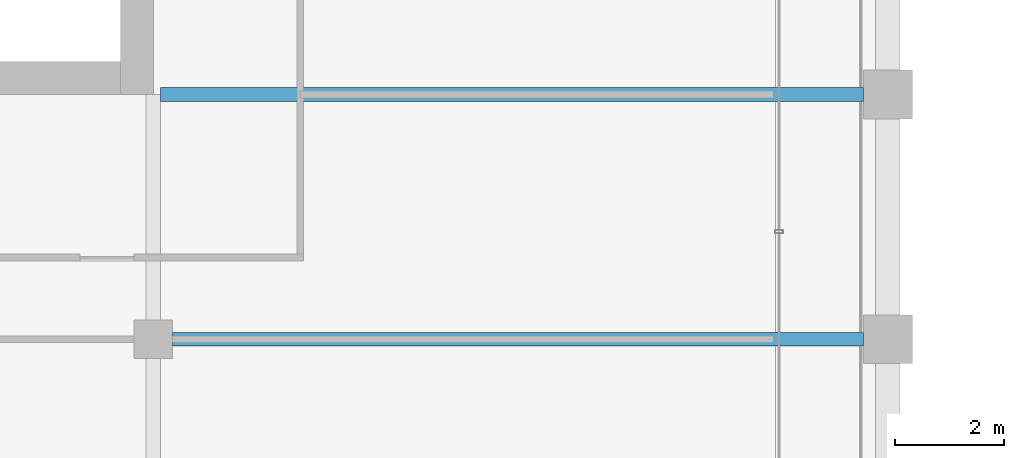
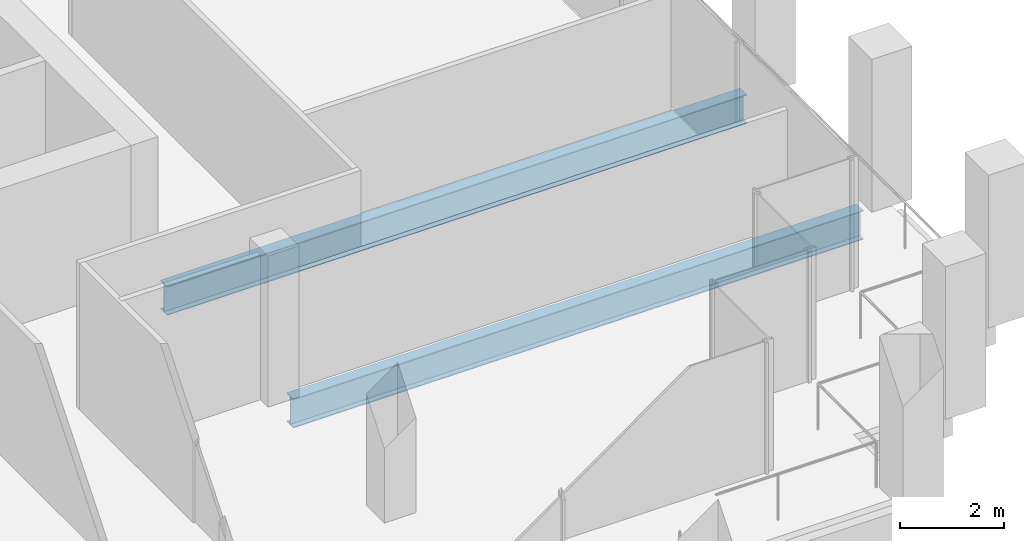
# One storey, part 14 of 40: 2 beams.
"""IFC4 building model written with IfcOpenShell, lengths in metres."""

from ifc_helpers import new_model, si_unit, direction, frame, origin, origin_2d, place, context, subcontext, project, spatial, i_section, extrude, material, material_profile, profile_set, type_object, element, save


model = new_model("IFC4")

# Units and contexts
model_context = context("Model", 3, precision=1e-05, world=origin(), true_north=direction((0.0, 1.0)))
body_context = subcontext(model_context, "Body", "Model", "MODEL_VIEW")
ifc_project = project(units=[si_unit("LENGTHUNIT", "METRE"), si_unit("AREAUNIT", "SQUARE_METRE"), si_unit("VOLUMEUNIT", "CUBIC_METRE"), si_unit("PLANEANGLEUNIT", "RADIAN"), si_unit("MASSUNIT", "GRAM", prefix="KILO")], contexts=[model_context])

# Site, building, storey
site_placement = place(None, origin())
site = spatial("IfcSite", under=ifc_project, at=site_placement, CompositionType="ELEMENT")
building_placement = place(site_placement, origin())
building = spatial("IfcBuilding", under=site, at=building_placement, Name="Altepetl Exchange Towers", CompositionType="ELEMENT")
storey_placement = place(building_placement, frame((0.0, 0.0, 183.39990234375)))
storey = spatial("IfcBuildingStorey", under=building, at=storey_placement, Name="L46", CompositionType="ELEMENT", Elevation=183.39990234375)

# Beams
ifc_material = material(Name="Steel S355", Category="steel")
ifc_material_profile = material_profile(ifc_material, i_section(OverallWidth=0.25390625, OverallDepth=0.68408203125, WebThickness=0.012451171875, FlangeThickness=0.018798828125, at=origin_2d()), Name="W27X94")
ifc_profile_set = profile_set([ifc_material_profile], Name="Steel S355")
beam_type = type_object("IfcBeamType", Name="Floor beam W27X94", PredefinedType="BEAM", material=ifc_profile_set)
beam_1_placement = place(storey_placement, frame((58.85009765625, 36.0, -0.491943359375), z_axis=(1.0, 0.0, 0.0), x_axis=(0.0, 1.0, 0.0)))
element("IfcBeam", 1, at=beam_1_placement, inside=storey, type_object=beam_type, Name="bm:A:L46:007", PredefinedType="BEAM", context=body_context, shape_type="SweptSolid", body=[
    extrude(i_section(OverallWidth=0.25390625, OverallDepth=0.68408203125, WebThickness=0.012451171875, FlangeThickness=0.018798828125, at=origin_2d()), origin(), (0.0, 0.0, 1.0), 12.699951171875),
])
beam_2_placement = place(storey_placement, frame((58.634033203125, 40.5, -0.491943359375), z_axis=(1.0, 0.0, 0.0), x_axis=(0.0, 1.0, 0.0)))
element("IfcBeam", 2, at=beam_2_placement, inside=storey, type_object=beam_type, Name="bm:A:L46:008", PredefinedType="BEAM", context=body_context, shape_type="SweptSolid", body=[
    extrude(i_section(OverallWidth=0.25390625, OverallDepth=0.68408203125, WebThickness=0.012451171875, FlangeThickness=0.018798828125, at=origin_2d()), origin(), (0.0, 0.0, 1.0), 12.916015625),
])

save(model, "model.ifc")
